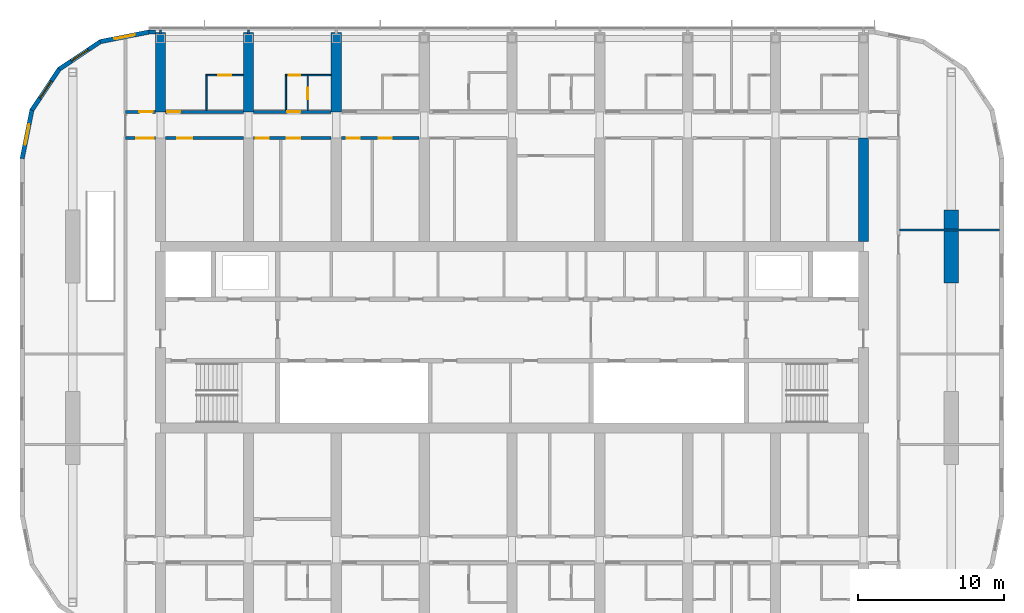
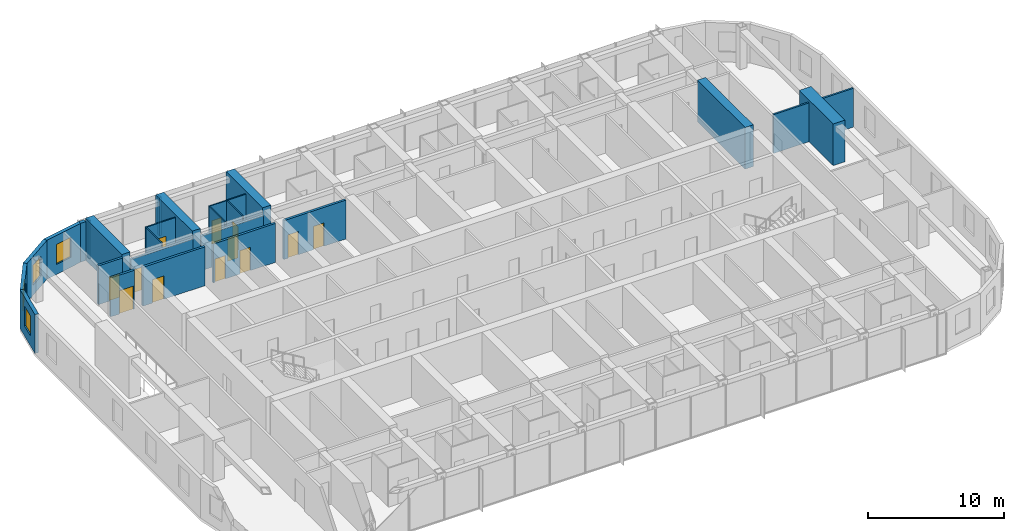
# One storey, part 15 of 23: 25 walls, 12 doors, 4 windows, 16 openings.
"""IFC4 building model written with IfcOpenShell, lengths in metres."""

from ifc_helpers import new_model, si_unit, direction, frame, frame_2d, origin, place, context, subcontext, project, spatial, polyline, rectangle, outline, extrude, material, layer, layer_set, type_object, element, fill, save


model = new_model("IFC4")

# Units and contexts
model_context = context("Model", 3, precision=1e-05, world=origin(), true_north=direction((0.0, 1.0)))
body_context = subcontext(model_context, "Body", "Model", "MODEL_VIEW")
ifc_project = project(units=[si_unit("LENGTHUNIT", "METRE"), si_unit("AREAUNIT", "SQUARE_METRE"), si_unit("VOLUMEUNIT", "CUBIC_METRE"), si_unit("PLANEANGLEUNIT", "RADIAN"), si_unit("MASSUNIT", "GRAM", prefix="KILO")], contexts=[model_context])

# Site, building, storey
site_placement = place(None, origin())
site = spatial("IfcSite", under=ifc_project, at=site_placement, CompositionType="ELEMENT")
building_placement = place(site_placement, origin())
building = spatial("IfcBuilding", under=site, at=building_placement, Name="Orbita Commons", CompositionType="ELEMENT")
storey_placement = place(building_placement, frame((0.0, 0.0, 220.300048828125)))
storey = spatial("IfcBuildingStorey", under=building, at=storey_placement, Name="L54", CompositionType="ELEMENT", Elevation=220.300048828125)

# Wall, opening, door
ifc_material_1 = material(Name="Concrete blockwork", Category="masonry")
ifc_layer_1 = layer(ifc_material_1, 0.199951171875)
ifc_layer_set_1 = layer_set([ifc_layer_1], Name="Concrete blockwork")
wall_type_1 = type_object("IfcWallType", Name="Corridor wall 200 blockwork", PredefinedType="SOLIDWALL", material=ifc_layer_set_1)
wall_1_placement = place(storey_placement, frame((15.60009765625, 47.39990234375, 0.0), z_axis=(0.0, 0.0, 1.0), x_axis=(1.0, 0.0, 0.0)))
wall_1 = element("IfcWall", 1, at=wall_1_placement, inside=storey, type_object=wall_type_1, Name="Corridor wall 200 blockwork L54", PredefinedType="SOLIDWALL", context=body_context, shape_type="SweptSolid", body=[
    extrude(rectangle(XDim=2.0498046875, YDim=0.199951171875, at=frame_2d((1.02490234375, 0.0))), origin(), (0.0, 0.0, 1.0), 3.5),
])
opening_1_placement = place(wall_1_placement, frame((0.949951171875, 0.0, 0.0)))
opening_1 = element("IfcOpeningElement", 2, at=opening_1_placement, cuts=wall_1, Name="Opening D05", PredefinedType="OPENING", context=body_context, shape_type="SweptSolid", body=[
    extrude(rectangle(XDim=0.89990234375, YDim=2.10009765625, at=frame_2d((0.449951171875, 1.050048828125))), frame((0.0, 0.10986328125, 0.0), z_axis=(0.0, -1.0, 0.0), x_axis=(1.0, 0.0, 0.0)), (0.0, 0.0, 1.0), 0.219970703125),
])
ifc_material_2 = material(Name="Steel-faced fire door leaf", Category="steel")
door_type_1 = type_object("IfcDoorType", Name="Service door 20 min 900x2100", OperationType="SINGLE_SWING_LEFT", PredefinedType="DOOR", material=ifc_material_2)
door_1_placement = place(opening_1_placement, origin())
door_1 = element("IfcDoor", 3, at=door_1_placement, inside=storey, type_object=door_type_1, Name="Linen store L54-KWN door", OperationType="SINGLE_SWING_LEFT", OverallHeight=2.10009765625, OverallWidth=0.89990234375, PredefinedType="DOOR", context=body_context, shape_type="SweptSolid", body=[
    extrude(rectangle(XDim=0.89990234375, YDim=2.10009765625, at=frame_2d((0.449951171875, 1.050048828125))), frame((0.0, 0.02490234375, 0.0), z_axis=(0.0, -1.0, 0.0), x_axis=(1.0, 0.0, 0.0)), (0.0, 0.0, 1.0), 0.050048828125),
])
fill(opening_1, door_1)

wall_2_placement = place(storey_placement, frame((18.35009765625, 47.39990234375, 0.0), z_axis=(0.0, 0.0, 1.0), x_axis=(1.0, 0.0, 0.0)))
wall_2 = element("IfcWall", 4, at=wall_2_placement, inside=storey, type_object=wall_type_1, Name="Corridor wall 200 blockwork L54", PredefinedType="SOLIDWALL", context=body_context, shape_type="SweptSolid", body=[
    extrude(outline(polyline([(0.0, 0.0), (5.2998046875, 0.0), (5.300048828125, 3.099853515625), (0.0, 3.099853515625), (0.0, 0.0)])), frame((0.0, 0.10009765625, 0.0), z_axis=(0.0, -1.0, 0.0), x_axis=(1.0, 0.0, 0.0)), (0.0, 0.0, 1.0), 0.199951171875),
])
opening_2_placement = place(wall_2_placement, frame((0.10009765625, 0.0, 0.0)))
opening_2 = element("IfcOpeningElement", 5, at=opening_2_placement, cuts=wall_2, Name="Opening D11", PredefinedType="OPENING", context=body_context, shape_type="SweptSolid", body=[
    extrude(rectangle(XDim=0.89990234375, YDim=2.10009765625, at=frame_2d((0.449951171875, 1.050048828125))), frame((0.0, 0.10986328125, 0.0), z_axis=(0.0, -1.0, 0.0), x_axis=(1.0, 0.0, 0.0)), (0.0, 0.0, 1.0), 0.219970703125),
])
ifc_material_3 = material(Name="Steel-faced fire door leaf", Category="steel")
door_type_2 = type_object("IfcDoorType", Name="Corridor door 20 min 900x2100", OperationType="SINGLE_SWING_LEFT", PredefinedType="DOOR", material=ifc_material_3)
door_2_placement = place(opening_2_placement, origin())
door_2 = element("IfcDoor", 6, at=door_2_placement, inside=storey, type_object=door_type_2, Name="Studio apartment with kitchenette L54-N00 door", OperationType="SINGLE_SWING_LEFT", OverallHeight=2.10009765625, OverallWidth=0.89990234375, PredefinedType="DOOR", context=body_context, shape_type="SweptSolid", body=[
    extrude(rectangle(XDim=0.89990234375, YDim=2.10009765625, at=frame_2d((0.449951171875, 1.050048828125))), frame((0.0, 0.02490234375, 0.0), z_axis=(0.0, -1.0, 0.0), x_axis=(1.0, 0.0, 0.0)), (0.0, 0.0, 1.0), 0.050048828125),
])
fill(opening_2, door_2)

wall_3_placement = place(storey_placement, frame((24.35009765625, 47.39990234375, 0.0), z_axis=(0.0, 0.0, 1.0), x_axis=(1.0, 0.0, 0.0)))
wall_3 = element("IfcWall", 7, at=wall_3_placement, inside=storey, type_object=wall_type_1, Name="Corridor wall 200 blockwork L54", PredefinedType="SOLIDWALL", context=body_context, shape_type="SweptSolid", body=[
    extrude(outline(polyline([(0.0, 0.0), (5.2998046875, 0.0), (5.300048828125, 3.099853515625), (0.0, 3.099853515625), (0.0, 0.0)])), frame((0.0, 0.10009765625, 0.0), z_axis=(0.0, -1.0, 0.0), x_axis=(1.0, 0.0, 0.0)), (0.0, 0.0, 1.0), 0.199951171875),
])
opening_3_placement = place(wall_3_placement, frame((2.300048828125, 0.0, 0.0)))
opening_3 = element("IfcOpeningElement", 8, at=opening_3_placement, cuts=wall_3, Name="Opening D11", PredefinedType="OPENING", context=body_context, shape_type="SweptSolid", body=[
    extrude(rectangle(XDim=0.89990234375, YDim=2.10009765625, at=frame_2d((0.449951171875, 1.050048828125))), frame((0.0, 0.10986328125, 0.0), z_axis=(0.0, -1.0, 0.0), x_axis=(1.0, 0.0, 0.0)), (0.0, 0.0, 1.0), 0.219970703125),
])
door_3_placement = place(opening_3_placement, origin())
door_3 = element("IfcDoor", 9, at=door_3_placement, inside=storey, type_object=door_type_2, Name="Studio flat L54-N02 entrance door", OperationType="SINGLE_SWING_LEFT", OverallHeight=2.10009765625, OverallWidth=0.89990234375, PredefinedType="DOOR", context=body_context, shape_type="SweptSolid", body=[
    extrude(rectangle(XDim=0.89990234375, YDim=2.10009765625, at=frame_2d((0.449951171875, 1.050048828125))), frame((0.0, 0.02490234375, 0.0), z_axis=(0.0, -1.0, 0.0), x_axis=(1.0, 0.0, 0.0)), (0.0, 0.0, 1.0), 0.050048828125),
])
fill(opening_3, door_3)

ifc_material_4 = material(Name="Hollow concrete block 200", Category="concrete")
ifc_layer_2 = layer(ifc_material_4, 0.199951171875)
ifc_layer_set_2 = layer_set([ifc_layer_2], Name="Hollow concrete block 200")
wall_type_2 = type_object("IfcWallType", Name="Corridor wall 200 hollow concrete block", PredefinedType="SOLIDWALL", material=ifc_layer_set_2)
wall_4_placement = place(storey_placement, frame((15.60009765625, 45.60009765625, 0.0), z_axis=(0.0, 0.0, 1.0), x_axis=(1.0, 0.0, 0.0)))
wall_4 = element("IfcWall", 10, at=wall_4_placement, inside=storey, type_object=wall_type_2, Name="Corridor wall 200 hollow concrete block L54", PredefinedType="SOLIDWALL", context=body_context, shape_type="SweptSolid", body=[
    extrude(rectangle(XDim=2.0498046875, YDim=0.199951171875, at=frame_2d((1.02490234375, 0.0))), origin(), (0.0, 0.0, 1.0), 3.5),
])
opening_4_placement = place(wall_4_placement, frame((0.75, 0.0, 0.0)))
opening_4 = element("IfcOpeningElement", 11, at=opening_4_placement, cuts=wall_4, Name="Opening D12", PredefinedType="OPENING", context=body_context, shape_type="SweptSolid", body=[
    extrude(rectangle(XDim=1.199951171875, YDim=2.10009765625, at=frame_2d((0.60009765625, 1.050048828125))), frame((0.0, 0.10986328125, 0.0), z_axis=(0.0, -1.0, 0.0), x_axis=(1.0, 0.0, 0.0)), (0.0, 0.0, 1.0), 0.219970703125),
])
ifc_material_5 = material(Name="Steel-faced fire door leaf", Category="steel")
door_type_3 = type_object("IfcDoorType", Name="Double corridor door 20 min 1200x2100", OperationType="DOUBLE_DOOR_SINGLE_SWING", PredefinedType="DOOR", material=ifc_material_5)
door_4_placement = place(opening_4_placement, origin())
door_4 = element("IfcDoor", 12, at=door_4_placement, inside=storey, type_object=door_type_3, Name="Cross corridor doors", OperationType="DOUBLE_DOOR_SINGLE_SWING", OverallHeight=2.10009765625, OverallWidth=1.199951171875, PredefinedType="DOOR", context=body_context, shape_type="SweptSolid", body=[
    extrude(rectangle(XDim=1.199951171875, YDim=2.10009765625, at=frame_2d((0.60009765625, 1.050048828125))), frame((0.0, 0.02490234375, 0.0), z_axis=(0.0, -1.0, 0.0), x_axis=(1.0, 0.0, 0.0)), (0.0, 0.0, 1.0), 0.050048828125),
])
fill(opening_4, door_4)

wall_5_placement = place(storey_placement, frame((18.35009765625, 45.60009765625, 0.0), z_axis=(0.0, 0.0, 1.0), x_axis=(1.0, 0.0, 0.0)))
wall_5 = element("IfcWall", 13, at=wall_5_placement, inside=storey, type_object=wall_type_2, Name="Corridor wall 200 hollow concrete block L54", PredefinedType="SOLIDWALL", context=body_context, shape_type="SweptSolid", body=[
    extrude(rectangle(XDim=5.2998046875, YDim=0.199951171875, at=frame_2d((2.64990234375, 0.0))), origin(), (0.0, 0.0, 1.0), 3.5),
])
opening_5_placement = place(wall_5_placement, frame((0.800048828125, 0.0, 0.0)))
opening_5 = element("IfcOpeningElement", 14, at=opening_5_placement, cuts=wall_5, Name="Opening D06", PredefinedType="OPENING", context=body_context, shape_type="SweptSolid", body=[
    extrude(rectangle(XDim=1.0, YDim=2.10009765625, at=frame_2d((0.5, 1.050048828125))), frame((0.0, 0.10986328125, 0.0), z_axis=(0.0, -1.0, 0.0), x_axis=(1.0, 0.0, 0.0)), (0.0, 0.0, 1.0), 0.219970703125),
])
ifc_material_6 = material(Name="Steel-faced fire door leaf", Category="steel")
door_type_4 = type_object("IfcDoorType", Name="Corridor door 20 min 1000x2100", OperationType="SINGLE_SWING_LEFT", PredefinedType="DOOR", material=ifc_material_6)
door_5_placement = place(opening_5_placement, origin())
door_5 = element("IfcDoor", 15, at=door_5_placement, inside=storey, type_object=door_type_4, Name="IT and print room L54-BDN18 door", OperationType="SINGLE_SWING_LEFT", OverallHeight=2.10009765625, OverallWidth=1.0, PredefinedType="DOOR", context=body_context, shape_type="SweptSolid", body=[
    extrude(rectangle(XDim=1.0, YDim=2.10009765625, at=frame_2d((0.5, 1.050048828125))), frame((0.0, 0.02490234375, 0.0), z_axis=(0.0, -1.0, 0.0), x_axis=(1.0, 0.0, 0.0)), (0.0, 0.0, 1.0), 0.050048828125),
])
fill(opening_5, door_5)

# Wall, openings, doors
wall_6_placement = place(storey_placement, frame((24.35009765625, 45.60009765625, 0.0), z_axis=(0.0, 0.0, 1.0), x_axis=(1.0, 0.0, 0.0)))
wall_6 = element("IfcWall", 16, at=wall_6_placement, inside=storey, type_object=wall_type_2, Name="Corridor wall 200 hollow concrete block L54", PredefinedType="SOLIDWALL", context=body_context, shape_type="SweptSolid", body=[
    extrude(rectangle(XDim=5.2998046875, YDim=0.199951171875, at=frame_2d((2.64990234375, 0.0))), origin(), (0.0, 0.0, 1.0), 3.5),
])
opening_6_placement = place(wall_6_placement, frame((0.14990234375, 0.0, 0.0)))
opening_6 = element("IfcOpeningElement", 17, at=opening_6_placement, cuts=wall_6, Name="Opening D11", PredefinedType="OPENING", context=body_context, shape_type="SweptSolid", body=[
    extrude(rectangle(XDim=0.89990234375, YDim=2.10009765625, at=frame_2d((0.449951171875, 1.050048828125))), frame((0.0, 0.10986328125, 0.0), z_axis=(0.0, -1.0, 0.0), x_axis=(1.0, 0.0, 0.0)), (0.0, 0.0, 1.0), 0.219970703125),
])
opening_7_placement = place(wall_6_placement, frame((2.280029296875, 0.0, 0.0)))
opening_7 = element("IfcOpeningElement", 18, at=opening_7_placement, cuts=wall_6, Name="Opening D11", PredefinedType="OPENING", context=body_context, shape_type="SweptSolid", body=[
    extrude(rectangle(XDim=0.89990234375, YDim=2.10009765625, at=frame_2d((0.449951171875, 1.050048828125))), frame((0.0, 0.10986328125, 0.0), z_axis=(0.0, -1.0, 0.0), x_axis=(1.0, 0.0, 0.0)), (0.0, 0.0, 1.0), 0.219970703125),
])
door_6_placement = place(opening_6_placement, origin())
door_6 = element("IfcDoor", 19, at=door_6_placement, inside=storey, type_object=door_type_2, Name="Sprinkler valve room L54-BDN24n door", OperationType="SINGLE_SWING_LEFT", OverallHeight=2.10009765625, OverallWidth=0.89990234375, PredefinedType="DOOR", context=body_context, shape_type="SweptSolid", body=[
    extrude(rectangle(XDim=0.89990234375, YDim=2.10009765625, at=frame_2d((0.449951171875, 1.050048828125))), frame((0.0, 0.02490234375, 0.0), z_axis=(0.0, -1.0, 0.0), x_axis=(1.0, 0.0, 0.0)), (0.0, 0.0, 1.0), 0.050048828125),
])
fill(opening_6, door_6)
door_7_placement = place(opening_7_placement, origin())
door_7 = element("IfcDoor", 20, at=door_7_placement, inside=storey, type_object=door_type_2, Name="Storage lockers L54-BDN24 door", OperationType="SINGLE_SWING_LEFT", OverallHeight=2.10009765625, OverallWidth=0.89990234375, PredefinedType="DOOR", context=body_context, shape_type="SweptSolid", body=[
    extrude(rectangle(XDim=0.89990234375, YDim=2.10009765625, at=frame_2d((0.449951171875, 1.050048828125))), frame((0.0, 0.02490234375, 0.0), z_axis=(0.0, -1.0, 0.0), x_axis=(1.0, 0.0, 0.0)), (0.0, 0.0, 1.0), 0.050048828125),
])
fill(opening_7, door_7)

wall_7_placement = place(storey_placement, frame((30.35009765625, 45.60009765625, 0.0), z_axis=(0.0, 0.0, 1.0), x_axis=(1.0, 0.0, 0.0)))
wall_7 = element("IfcWall", 21, at=wall_7_placement, inside=storey, type_object=wall_type_2, Name="Corridor wall 200 hollow concrete block L54", PredefinedType="SOLIDWALL", context=body_context, shape_type="SweptSolid", body=[
    extrude(rectangle(XDim=5.2998046875, YDim=0.199951171875, at=frame_2d((2.64990234375, 0.0))), origin(), (0.0, 0.0, 1.0), 3.5),
])
opening_8_placement = place(wall_7_placement, frame((0.35009765625, 0.0, 0.0)))
opening_8 = element("IfcOpeningElement", 22, at=opening_8_placement, cuts=wall_7, Name="Opening D11", PredefinedType="OPENING", context=body_context, shape_type="SweptSolid", body=[
    extrude(rectangle(XDim=0.89990234375, YDim=2.10009765625, at=frame_2d((0.449951171875, 1.050048828125))), frame((0.0, 0.10986328125, 0.0), z_axis=(0.0, -1.0, 0.0), x_axis=(1.0, 0.0, 0.0)), (0.0, 0.0, 1.0), 0.219970703125),
])
opening_9_placement = place(wall_7_placement, frame((2.534912109375, 0.0, 0.0)))
opening_9 = element("IfcOpeningElement", 23, at=opening_9_placement, cuts=wall_7, Name="Opening D11", PredefinedType="OPENING", context=body_context, shape_type="SweptSolid", body=[
    extrude(rectangle(XDim=0.89990234375, YDim=2.10009765625, at=frame_2d((0.449951171875, 1.050048828125))), frame((0.0, 0.10986328125, 0.0), z_axis=(0.0, -1.0, 0.0), x_axis=(1.0, 0.0, 0.0)), (0.0, 0.0, 1.0), 0.219970703125),
])
door_8_placement = place(opening_8_placement, origin())
door_8 = element("IfcDoor", 24, at=door_8_placement, inside=storey, type_object=door_type_2, Name="Water heater cupboard L54-BDN30n door", OperationType="SINGLE_SWING_LEFT", OverallHeight=2.10009765625, OverallWidth=0.89990234375, PredefinedType="DOOR", context=body_context, shape_type="SweptSolid", body=[
    extrude(rectangle(XDim=0.89990234375, YDim=2.10009765625, at=frame_2d((0.449951171875, 1.050048828125))), frame((0.0, 0.02490234375, 0.0), z_axis=(0.0, -1.0, 0.0), x_axis=(1.0, 0.0, 0.0)), (0.0, 0.0, 1.0), 0.050048828125),
])
fill(opening_8, door_8)
door_9_placement = place(opening_9_placement, origin())
door_9 = element("IfcDoor", 25, at=door_9_placement, inside=storey, type_object=door_type_2, Name="Cleaners store L54-BDN30 door", OperationType="SINGLE_SWING_LEFT", OverallHeight=2.10009765625, OverallWidth=0.89990234375, PredefinedType="DOOR", context=body_context, shape_type="SweptSolid", body=[
    extrude(rectangle(XDim=0.89990234375, YDim=2.10009765625, at=frame_2d((0.449951171875, 1.050048828125))), frame((0.0, 0.02490234375, 0.0), z_axis=(0.0, -1.0, 0.0), x_axis=(1.0, 0.0, 0.0)), (0.0, 0.0, 1.0), 0.050048828125),
])
fill(opening_9, door_9)

# Walls
ifc_material_7 = material(Name="Concrete C50/60", Category="concrete")
ifc_layer_3 = layer(ifc_material_7, 0.699951171875)
ifc_layer_set_3 = layer_set([ifc_layer_3], Name="Concrete C50/60")
wall_type_3 = type_object("IfcWallType", Name="Cross wall 700 C50/60", PredefinedType="SHEAR", material=ifc_layer_set_3)
for number, where, z_axis, x_axis, name in (
    (26, (18.0, 47.39990234375, 0.0), (0.0, 0.0, 1.0), (0.0, 1.0, 0.0), "Cross wall 4 north outer L54"),
    (27, (24.0, 47.39990234375, 0.0), (0.0, 0.0, 1.0), (0.0, 1.0, 0.0), "Cross wall 5 north outer L54"),
    (28, (30.0, 47.39990234375, 0.0), (0.0, 0.0, 1.0), (0.0, 1.0, 0.0), "Cross wall 6 north outer L54"),
):
    element("IfcWall", number, at=place(storey_placement, frame(where, z_axis=z_axis, x_axis=x_axis)), inside=storey, type_object=wall_type_3, Name=name, PredefinedType="SHEAR", context=body_context, shape_type="SweptSolid", body=[
        extrude(rectangle(XDim=5.400146484375, YDim=0.699951171875, at=frame_2d((2.7001953125, 0.0))), origin(), (0.0, 0.0, 1.0), 3.75),
    ])
wall_8_placement = place(storey_placement, frame((66.0, 38.550048828125, 0.0), z_axis=(0.0, 0.0, 1.0), x_axis=(0.0, 1.0, 0.0)))
element("IfcWall", 29, at=wall_8_placement, inside=storey, type_object=wall_type_3, Name="Cross wall 12 north inner L54", PredefinedType="SHEAR", context=body_context, shape_type="SweptSolid", body=[
    extrude(rectangle(XDim=7.050048828125, YDim=0.699951171875, at=frame_2d((3.52490234375, 0.0))), origin(), (0.0, 0.0, 1.0), 3.75),
])

# Wall, opening, door
ifc_material_8 = material(Name="Moisture-resistant plasterboard on steel studs", Category="steel")
ifc_layer_4 = layer(ifc_material_8, 0.10009765625)
ifc_layer_set_4 = layer_set([ifc_layer_4], Name="Moisture-resistant plasterboard on steel studs")
wall_type_4 = type_object("IfcWallType", Name="En-suite partition 100", PredefinedType="PARTITIONING", material=ifc_layer_set_4)
wall_9_placement = place(storey_placement, frame((21.10009765625, 49.89990234375, 0.0), z_axis=(0.0, 0.0, 1.0), x_axis=(1.0, 0.0, 0.0)))
wall_9 = element("IfcWall", 30, at=wall_9_placement, inside=storey, type_object=wall_type_4, Name="En-suite partition 100 L54", PredefinedType="PARTITIONING", context=body_context, shape_type="SweptSolid", body=[
    extrude(rectangle(XDim=2.5498046875, YDim=0.10009765625, at=frame_2d((1.27490234375, 0.0))), origin(), (0.0, 0.0, 1.0), 3.5),
])
opening_10_placement = place(wall_9_placement, frame((0.824951171875, 0.0, 0.0)))
opening_10 = element("IfcOpeningElement", 31, at=opening_10_placement, cuts=wall_9, Name="Opening D09", PredefinedType="OPENING", context=body_context, shape_type="SweptSolid", body=[
    extrude(rectangle(XDim=0.89990234375, YDim=2.10009765625, at=frame_2d((0.449951171875, 1.050048828125))), frame((0.0, 0.06005859375, 0.0), z_axis=(0.0, -1.0, 0.0), x_axis=(1.0, 0.0, 0.0)), (0.0, 0.0, 1.0), 0.1201171875),
])
ifc_material_9 = material(Name="Laminated timber door leaf", Category="wood")
door_type_5 = type_object("IfcDoorType", Name="En-suite door 900x2100", OperationType="SINGLE_SWING_RIGHT", PredefinedType="DOOR", material=ifc_material_9)
door_10_placement = place(opening_10_placement, origin())
door_10 = element("IfcDoor", 32, at=door_10_placement, inside=storey, type_object=door_type_5, Name="En-suite L54-N00 door", OperationType="SINGLE_SWING_RIGHT", OverallHeight=2.10009765625, OverallWidth=0.89990234375, PredefinedType="DOOR", context=body_context, shape_type="SweptSolid", body=[
    extrude(rectangle(XDim=0.89990234375, YDim=2.10009765625, at=frame_2d((0.449951171875, 1.050048828125))), frame((0.0, 0.02490234375, 0.0), z_axis=(0.0, -1.0, 0.0), x_axis=(1.0, 0.0, 0.0)), (0.0, 0.0, 1.0), 0.050048828125),
])
fill(opening_10, door_10)

# Wall
wall_10_placement = place(storey_placement, frame((21.14990234375, 49.85009765625, 0.0), z_axis=(0.0, 0.0, 1.0), x_axis=(0.0, -1.0, 0.0)))
element("IfcWall", 33, at=wall_10_placement, inside=storey, type_object=wall_type_4, Name="En-suite partition 100 L54", PredefinedType="PARTITIONING", context=body_context, shape_type="SweptSolid", body=[
    extrude(outline(polyline([(0.0, 0.0), (2.35009765625, 0.0), (2.35009765625, 3.099853515625), (2.302001953125, 3.099853515625), (2.300048828125, 3.5), (0.0, 3.5), (0.0, 0.0)])), frame((0.0, 0.050048828125, 0.0), z_axis=(0.0, -1.0, 0.0), x_axis=(1.0, 0.0, 0.0)), (0.0, 0.0, 1.0), 0.10009765625),
])

# Wall, opening, door
wall_11_placement = place(storey_placement, frame((26.5, 49.89990234375, 0.0), z_axis=(0.0, 0.0, 1.0), x_axis=(1.0, 0.0, 0.0)))
wall_11 = element("IfcWall", 34, at=wall_11_placement, inside=storey, type_object=wall_type_4, Name="En-suite partition 100 L54", PredefinedType="PARTITIONING", context=body_context, shape_type="SweptSolid", body=[
    extrude(rectangle(XDim=3.14990234375, YDim=0.10009765625, at=frame_2d((1.574951171875, 0.0))), origin(), (0.0, 0.0, 1.0), 3.5),
])
opening_11_placement = place(wall_11_placement, frame((0.25, 0.0, 0.0)))
opening_11 = element("IfcOpeningElement", 35, at=opening_11_placement, cuts=wall_11, Name="Opening D16", PredefinedType="OPENING", context=body_context, shape_type="SweptSolid", body=[
    extrude(rectangle(XDim=0.800048828125, YDim=2.10009765625, at=frame_2d((0.39990234375, 1.050048828125))), frame((0.0, 0.06005859375, 0.0), z_axis=(0.0, -1.0, 0.0), x_axis=(1.0, 0.0, 0.0)), (0.0, 0.0, 1.0), 0.1201171875),
])
ifc_material_10 = material(Name="Laminated timber door leaf", Category="wood")
door_type_6 = type_object("IfcDoorType", Name="En-suite door 800x2100", OperationType="SINGLE_SWING_RIGHT", PredefinedType="DOOR", material=ifc_material_10)
door_11_placement = place(opening_11_placement, origin())
door_11 = element("IfcDoor", 36, at=door_11_placement, inside=storey, type_object=door_type_6, Name="Studio flat L54-N02 door", OperationType="SINGLE_SWING_RIGHT", OverallHeight=2.10009765625, OverallWidth=0.800048828125, PredefinedType="DOOR", context=body_context, shape_type="SweptSolid", body=[
    extrude(rectangle(XDim=0.800048828125, YDim=2.10009765625, at=frame_2d((0.39990234375, 1.050048828125))), frame((0.0, 0.02490234375, 0.0), z_axis=(0.0, -1.0, 0.0), x_axis=(1.0, 0.0, 0.0)), (0.0, 0.0, 1.0), 0.050048828125),
])
fill(opening_11, door_11)

# Wall
wall_12_placement = place(storey_placement, frame((26.550048828125, 49.85009765625, 0.0), z_axis=(0.0, 0.0, 1.0), x_axis=(0.0, -1.0, 0.0)))
element("IfcWall", 37, at=wall_12_placement, inside=storey, type_object=wall_type_4, Name="En-suite partition 100 L54", PredefinedType="PARTITIONING", context=body_context, shape_type="SweptSolid", body=[
    extrude(outline(polyline([(0.0, 0.0), (2.35009765625, 0.0), (2.35009765625, 3.099853515625), (2.302001953125, 3.099853515625), (2.300048828125, 3.5), (0.0, 3.5), (0.0, 0.0)])), frame((0.0, 0.050048828125, 0.0), z_axis=(0.0, -1.0, 0.0), x_axis=(1.0, 0.0, 0.0)), (0.0, 0.0, 1.0), 0.10009765625),
])

# Wall, opening, door
wall_13_placement = place(storey_placement, frame((28.050048828125, 49.85009765625, 0.0), z_axis=(0.0, 0.0, 1.0), x_axis=(0.0, -1.0, 0.0)))
wall_13 = element("IfcWall", 38, at=wall_13_placement, inside=storey, type_object=wall_type_4, Name="En-suite partition 100 L54", PredefinedType="PARTITIONING", context=body_context, shape_type="SweptSolid", body=[
    extrude(outline(polyline([(0.0, 0.0), (2.35009765625, 0.0), (2.35009765625, 3.099853515625), (2.302001953125, 3.099853515625), (2.300048828125, 3.5), (0.0, 3.5), (0.0, 0.0)])), frame((0.0, 0.050048828125, 0.0), z_axis=(0.0, -1.0, 0.0), x_axis=(1.0, 0.0, 0.0)), (0.0, 0.0, 1.0), 0.10009765625),
])
opening_12_placement = place(wall_13_placement, frame((0.800048828125, 0.0, 0.0)))
opening_12 = element("IfcOpeningElement", 39, at=opening_12_placement, cuts=wall_13, Name="Opening D16", PredefinedType="OPENING", context=body_context, shape_type="SweptSolid", body=[
    extrude(rectangle(XDim=0.800048828125, YDim=2.10009765625, at=frame_2d((0.39990234375, 1.050048828125))), frame((0.0, 0.06005859375, 0.0), z_axis=(0.0, -1.0, 0.0), x_axis=(1.0, 0.0, 0.0)), (0.0, 0.0, 1.0), 0.1201171875),
])
door_12_placement = place(opening_12_placement, origin())
door_12 = element("IfcDoor", 40, at=door_12_placement, inside=storey, type_object=door_type_6, Name="Studio flat shower room L54-N02 door", OperationType="SINGLE_SWING_RIGHT", OverallHeight=2.10009765625, OverallWidth=0.800048828125, PredefinedType="DOOR", context=body_context, shape_type="SweptSolid", body=[
    extrude(rectangle(XDim=0.800048828125, YDim=2.10009765625, at=frame_2d((0.39990234375, 1.050048828125))), frame((0.0, 0.02490234375, 0.0), z_axis=(0.0, -1.0, 0.0), x_axis=(1.0, 0.0, 0.0)), (0.0, 0.0, 1.0), 0.050048828125),
])
fill(opening_12, door_12)

# Walls
ifc_material_11 = material(Name="Concrete C50/60", Category="concrete")
ifc_layer_5 = layer(ifc_material_11, 1.0)
ifc_layer_set_5 = layer_set([ifc_layer_5], Name="Concrete C50/60")
wall_type_5 = type_object("IfcWallType", Name="End pier 1000x5000 C50/60", PredefinedType="SHEAR", material=ifc_layer_set_5)
wall_14_placement = place(storey_placement, frame((72.0, 35.699951171875, 0.0), z_axis=(0.0, 0.0, 1.0), x_axis=(0.0, 1.0, 0.0)))
element("IfcWall", 41, at=wall_14_placement, inside=storey, type_object=wall_type_5, Name="End pier 13/D L54", PredefinedType="SHEAR", context=body_context, shape_type="SweptSolid", body=[
    extrude(rectangle(XDim=5.0, YDim=1.0, at=frame_2d((2.5, 0.0))), origin(), (0.0, 0.0, 1.0), 3.75),
])
ifc_material_12 = material(Name="Gypsum plasterboard on steel studs", Category="steel")
ifc_layer_6 = layer(ifc_material_12, 0.14990234375)
ifc_layer_set_6 = layer_set([ifc_layer_6], Name="Gypsum plasterboard on steel studs")
wall_type_6 = type_object("IfcWallType", Name="Partition 150 plasterboard", PredefinedType="PARTITIONING", material=ifc_layer_set_6)
wall_15_placement = place(storey_placement, frame((68.47509765625, 39.320068359375, 0.0), z_axis=(0.0, 0.0, 1.0), x_axis=(1.0, 0.0, 0.0)))
element("IfcWall", 42, at=wall_15_placement, inside=storey, type_object=wall_type_6, Name="Partition 150 plasterboard L54", PredefinedType="PARTITIONING", context=body_context, shape_type="SweptSolid", body=[
    extrude(rectangle(XDim=6.81982421875, YDim=0.14990234375, at=frame_2d((3.409912109375, 0.0))), origin(), (0.0, 0.0, 1.0), 3.5),
])
for number, where, z_axis, x_axis, name in (
    (43, (18.0, 52.699951171875, 0.0), (0.0, 0.0, 1.0), (0.0, 1.0, 0.0), "Partition 150 plasterboard L54"),
    (44, (24.0, 52.699951171875, 0.0), (0.0, 0.0, 1.0), (0.0, 1.0, 0.0), "Partition 150 plasterboard L54"),
):
    element("IfcWall", number, at=place(storey_placement, frame(where, z_axis=z_axis, x_axis=x_axis)), inside=storey, type_object=wall_type_6, Name=name, PredefinedType="PARTITIONING", context=body_context, shape_type="SweptSolid", body=[
        extrude(rectangle(XDim=0.2900390625, YDim=0.14990234375, at=frame_2d((0.14501953125, 0.0))), origin(), (0.0, 0.0, 1.0), 3.5),
    ])

# Wall, opening, window
ifc_material_13 = material(Name="Precast concrete C40/50, white board-marked finish", Category="concrete")
ifc_layer_7 = layer(ifc_material_13, 0.300048828125)
ifc_layer_set_7 = layer_set([ifc_layer_7], Name="Precast concrete C40/50, white board-marked finish")
wall_type_7 = type_object("IfcWallType", Name="Precast concrete end shield 300", PredefinedType="SOLIDWALL", material=ifc_layer_set_7)
wall_16_placement = place(storey_placement, frame((17.199951171875, 52.85009765625, 0.0), z_axis=(0.0, 0.0, 1.0), x_axis=(-0.98078325777, -0.195100490205, 0.0)))
wall_16 = element("IfcWall", 45, at=wall_16_placement, inside=storey, type_object=wall_type_7, Name="End shield NW chord 1 L54", PredefinedType="SOLIDWALL", context=body_context, shape_type="SweptSolid", body=[
    extrude(outline(polyline([(-0.02978515625, -0.14990234375), (3.40478515625, -0.14990234375), (3.34521484375, 0.14990234375), (0.02978515625, 0.14990234375), (-0.02978515625, -0.14990234375)])), origin(), (0.0, 0.0, 1.0), 3.5),
])
opening_13_placement = place(wall_16_placement, frame((0.987548828125, 0.0, 0.89990234375)))
opening_13 = element("IfcOpeningElement", 46, at=opening_13_placement, cuts=wall_16, Name="Opening W02", PredefinedType="OPENING", context=body_context, shape_type="SweptSolid", body=[
    extrude(rectangle(XDim=1.39990234375, YDim=1.800048828125, at=frame_2d((0.699951171875, 0.89990234375))), frame((0.0, 0.159912109375, 0.0), z_axis=(0.0, -1.0, 0.0), x_axis=(1.0, 0.0, 0.0)), (0.0, 0.0, 1.0), 0.320068359375),
])
ifc_material_14 = material(Name="Aluminium frame, clear double glazing", Category="aluminium")
window_type = type_object("IfcWindowType", Name="Deep-set window 1400x1800", PartitioningType="SINGLE_PANEL", PredefinedType="WINDOW", material=ifc_material_14)
window_1_placement = place(opening_13_placement, origin())
window_1 = element("IfcWindow", 47, at=window_1_placement, inside=storey, type_object=window_type, Name="Window L54-NW0", OverallHeight=1.800048828125, OverallWidth=1.39990234375, PartitioningType="SINGLE_PANEL", PredefinedType="WINDOW", context=body_context, shape_type="SweptSolid", body=[
    extrude(rectangle(XDim=1.39990234375, YDim=1.800048828125, at=frame_2d((0.699951171875, 0.89990234375))), frame((0.0, 0.030029296875, 0.0), z_axis=(0.0, -1.0, 0.0), x_axis=(1.0, 0.0, 0.0)), (0.0, 0.0, 1.0), 0.06005859375),
])
fill(opening_13, window_1)

wall_17_placement = place(storey_placement, frame((13.889892578125, 52.191650390625, 0.0), z_axis=(0.0, 0.0, 1.0), x_axis=(-0.831460037396, -0.555584562613, 0.0)))
wall_17 = element("IfcWall", 48, at=wall_17_placement, inside=storey, type_object=wall_type_7, Name="End shield NW chord 2 L54", PredefinedType="SOLIDWALL", context=body_context, shape_type="SweptSolid", body=[
    extrude(outline(polyline([(-0.02978515625, -0.14990234375), (3.405029296875, -0.14990234375), (3.345458984375, 0.14990234375), (0.02978515625, 0.14990234375), (-0.02978515625, -0.14990234375)])), origin(), (0.0, 0.0, 1.0), 3.5),
])
opening_14_placement = place(wall_17_placement, frame((0.987548828125, 0.0, 0.89990234375)))
opening_14 = element("IfcOpeningElement", 49, at=opening_14_placement, cuts=wall_17, Name="Opening W02", PredefinedType="OPENING", context=body_context, shape_type="SweptSolid", body=[
    extrude(rectangle(XDim=1.39990234375, YDim=1.800048828125, at=frame_2d((0.699951171875, 0.89990234375))), frame((0.0, 0.159912109375, 0.0), z_axis=(0.0, -1.0, 0.0), x_axis=(1.0, 0.0, 0.0)), (0.0, 0.0, 1.0), 0.320068359375),
])
window_2_placement = place(opening_14_placement, origin())
window_2 = element("IfcWindow", 50, at=window_2_placement, inside=storey, type_object=window_type, Name="Window L54-NW1", OverallHeight=1.800048828125, OverallWidth=1.39990234375, PartitioningType="SINGLE_PANEL", PredefinedType="WINDOW", context=body_context, shape_type="SweptSolid", body=[
    extrude(rectangle(XDim=1.39990234375, YDim=1.800048828125, at=frame_2d((0.699951171875, 0.89990234375))), frame((0.0, 0.030029296875, 0.0), z_axis=(0.0, -1.0, 0.0), x_axis=(1.0, 0.0, 0.0)), (0.0, 0.0, 1.0), 0.06005859375),
])
fill(opening_14, window_2)

wall_18_placement = place(storey_placement, frame((11.08349609375, 50.31640625, 0.0), z_axis=(0.0, 0.0, 1.0), x_axis=(-0.555567969291, -0.831471124873, 0.0)))
wall_18 = element("IfcWall", 51, at=wall_18_placement, inside=storey, type_object=wall_type_7, Name="End shield NW chord 3 L54", PredefinedType="SOLIDWALL", context=body_context, shape_type="SweptSolid", body=[
    extrude(outline(polyline([(-0.02978515625, -0.14990234375), (3.40478515625, -0.14990234375), (3.34521484375, 0.14990234375), (0.02978515625, 0.14990234375), (-0.02978515625, -0.14990234375)])), origin(), (0.0, 0.0, 1.0), 3.5),
])
opening_15_placement = place(wall_18_placement, frame((0.987548828125, 0.0, 0.89990234375)))
opening_15 = element("IfcOpeningElement", 52, at=opening_15_placement, cuts=wall_18, Name="Opening W02", PredefinedType="OPENING", context=body_context, shape_type="SweptSolid", body=[
    extrude(rectangle(XDim=1.39990234375, YDim=1.800048828125, at=frame_2d((0.699951171875, 0.89990234375))), frame((0.0, 0.159912109375, 0.0), z_axis=(0.0, -1.0, 0.0), x_axis=(1.0, 0.0, 0.0)), (0.0, 0.0, 1.0), 0.320068359375),
])
window_3_placement = place(opening_15_placement, origin())
window_3 = element("IfcWindow", 53, at=window_3_placement, inside=storey, type_object=window_type, Name="Window L54-NW2", OverallHeight=1.800048828125, OverallWidth=1.39990234375, PartitioningType="SINGLE_PANEL", PredefinedType="WINDOW", context=body_context, shape_type="SweptSolid", body=[
    extrude(rectangle(XDim=1.39990234375, YDim=1.800048828125, at=frame_2d((0.699951171875, 0.89990234375))), frame((0.0, 0.030029296875, 0.0), z_axis=(0.0, -1.0, 0.0), x_axis=(1.0, 0.0, 0.0)), (0.0, 0.0, 1.0), 0.06005859375),
])
fill(opening_15, window_3)

wall_19_placement = place(storey_placement, frame((9.20849609375, 47.51025390625, 0.0), z_axis=(0.0, 0.0, 1.0), x_axis=(-0.19508664885, -0.980786011034, 0.0)))
wall_19 = element("IfcWall", 54, at=wall_19_placement, inside=storey, type_object=wall_type_7, Name="End shield NW chord 4 L54", PredefinedType="SOLIDWALL", context=body_context, shape_type="SweptSolid", body=[
    extrude(outline(polyline([(-0.02978515625, -0.14990234375), (3.39013671875, -0.14990234375), (3.3603515625, 0.14990234375), (0.02978515625, 0.14990234375), (-0.02978515625, -0.14990234375)])), origin(), (0.0, 0.0, 1.0), 3.5),
])
opening_16_placement = place(wall_19_placement, frame((0.987548828125, 0.0, 0.89990234375)))
opening_16 = element("IfcOpeningElement", 55, at=opening_16_placement, cuts=wall_19, Name="Opening W02", PredefinedType="OPENING", context=body_context, shape_type="SweptSolid", body=[
    extrude(rectangle(XDim=1.39990234375, YDim=1.800048828125, at=frame_2d((0.699951171875, 0.89990234375))), frame((0.0, 0.159912109375, 0.0), z_axis=(0.0, -1.0, 0.0), x_axis=(1.0, 0.0, 0.0)), (0.0, 0.0, 1.0), 0.320068359375),
])
window_4_placement = place(opening_16_placement, origin())
window_4 = element("IfcWindow", 56, at=window_4_placement, inside=storey, type_object=window_type, Name="Window L54-NW3", OverallHeight=1.800048828125, OverallWidth=1.39990234375, PartitioningType="SINGLE_PANEL", PredefinedType="WINDOW", context=body_context, shape_type="SweptSolid", body=[
    extrude(rectangle(XDim=1.39990234375, YDim=1.800048828125, at=frame_2d((0.699951171875, 0.89990234375))), frame((0.0, 0.030029296875, 0.0), z_axis=(0.0, -1.0, 0.0), x_axis=(1.0, 0.0, 0.0)), (0.0, 0.0, 1.0), 0.06005859375),
])
fill(opening_16, window_4)

# Wall
wall_20_placement = place(storey_placement, frame((17.199951171875, 52.85009765625, 0.0), z_axis=(0.0, 0.0, 1.0), x_axis=(1.0, 0.0, 0.0)))
element("IfcWall", 57, at=wall_20_placement, inside=storey, type_object=wall_type_7, Name="End shield NW closer L54", PredefinedType="SOLIDWALL", context=body_context, shape_type="SweptSolid", body=[
    extrude(rectangle(XDim=0.449951171875, YDim=0.300048828125, at=frame_2d((0.22509765625, 0.0))), origin(), (0.0, 0.0, 1.0), 3.5),
])

save(model, "model.ifc")
